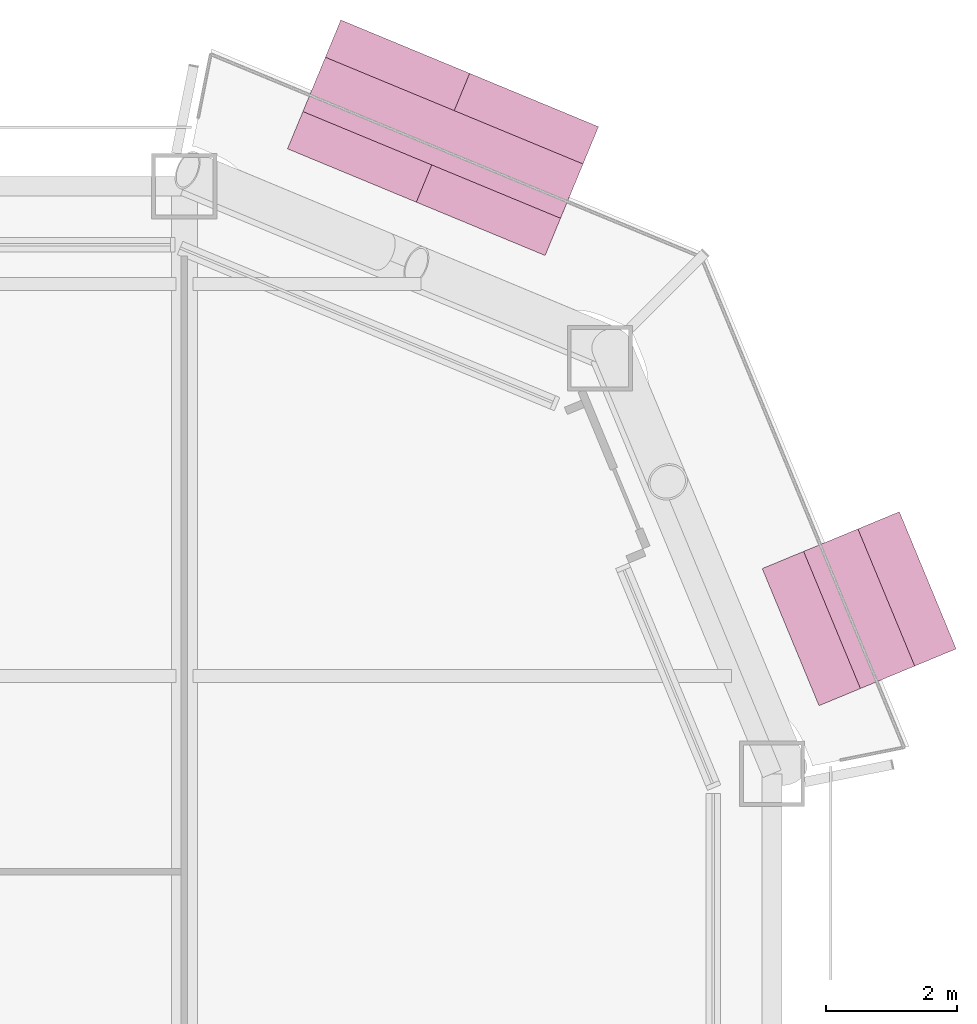
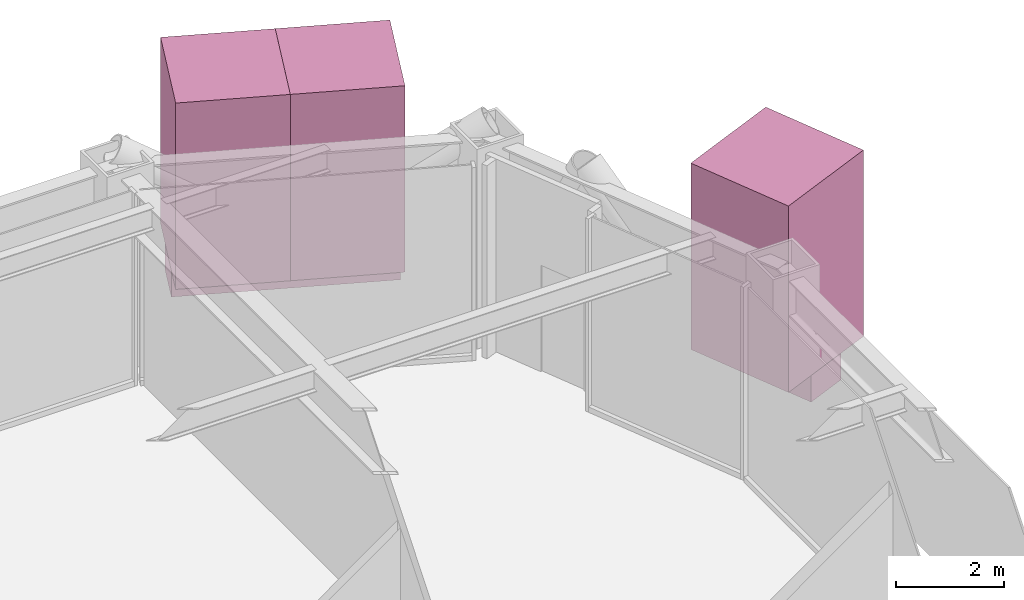
# One storey, part 30 of 30: 5 furnishings.
"""IFC4 building model written with IfcOpenShell, lengths in metres."""

from ifc_helpers import new_model, si_unit, direction, frame, origin, origin_2d, place, context, subcontext, project, spatial, rectangle, extrude, material, type_object, element, save


model = new_model("IFC4")

# Units and contexts
model_context = context("Model", 3, precision=1e-05, world=origin(), true_north=direction((0.0, 1.0)))
body_context = subcontext(model_context, "Body", "Model", "MODEL_VIEW")
ifc_project = project(units=[si_unit("LENGTHUNIT", "METRE"), si_unit("AREAUNIT", "SQUARE_METRE"), si_unit("VOLUMEUNIT", "CUBIC_METRE"), si_unit("PLANEANGLEUNIT", "RADIAN"), si_unit("MASSUNIT", "GRAM", prefix="KILO")], contexts=[model_context])

# Site, building, storey
site_placement = place(None, origin())
site = spatial("IfcSite", under=ifc_project, at=site_placement, CompositionType="ELEMENT")
building_placement = place(site_placement, origin())
building = spatial("IfcBuilding", under=site, at=building_placement, Name="Siwar Civic Tower", CompositionType="ELEMENT")
storey_placement = place(building_placement, frame((0.0, 0.0, 80.699951171875)))
storey = spatial("IfcBuildingStorey", under=building, at=storey_placement, Name="L17", CompositionType="ELEMENT", Elevation=80.699951171875)

# Furnishings
ifc_material_1 = material(Name="Planting soil and foliage")
furnishing_element_type_1 = type_object("IfcFurnishingElementType", Name="ENV-PLANTER", material=ifc_material_1)
furnishing_1_placement = place(storey_placement, frame((32.833984375, 25.0283203125, 0.0), z_axis=(0.0, 0.0, 1.0), x_axis=(-0.382683432365, 0.923879532511, 0.0)))
element("IfcFurnishingElement", 1, at=furnishing_1_placement, inside=storey, type_object=furnishing_element_type_1, Name="PLANTER NE 1", context=body_context, shape_type="SweptSolid", body=[
    extrude(rectangle(XDim=2.273193359375, YDim=0.89990234375, at=origin_2d()), origin(), (0.0, 0.0, 1.0), 0.60009765625),
])
furnishing_2_placement = place(storey_placement, frame((26.460205078125, 32.240966796875, 0.0), z_axis=(0.0, 0.0, 1.0), x_axis=(-0.923879532511, 0.382683432365, 0.0)))
element("IfcFurnishingElement", 2, at=furnishing_2_placement, inside=storey, type_object=furnishing_element_type_1, Name="PLANTER NE 2", context=body_context, shape_type="SweptSolid", body=[
    extrude(rectangle(XDim=4.270751953125, YDim=0.89990234375, at=origin_2d()), origin(), (0.0, 0.0, 1.0), 0.60009765625),
])
ifc_material_2 = material(Name="Planting soil and foliage")
furnishing_element_type_2 = type_object("IfcFurnishingElementType", Name="ENV-TREE", material=ifc_material_2)
furnishing_3_placement = place(storey_placement, frame((32.833984375, 25.0283203125, 0.60009765625), z_axis=(0.0, 0.0, 1.0), x_axis=(-0.382683432365, 0.923879532511, 0.0)))
element("IfcFurnishingElement", 3, at=furnishing_3_placement, inside=storey, type_object=furnishing_element_type_2, Name="PLANTER (TREE) NE 1.1", context=body_context, shape_type="SweptSolid", body=[
    extrude(rectangle(XDim=2.273193359375, YDim=2.273193359375, at=origin_2d()), origin(), (0.0, 0.0, 1.0), 4.199951171875),
])
for number, where, z_axis, x_axis, name in (
    (4, (27.44677734375, 31.832275390625, 0.60009765625), (0.0, 0.0, 1.0), (-0.923879532511, 0.382683432365, 0.0), "PLANTER (TREE) NE 2.1"),
    (5, (25.473876953125, 32.6494140625, 0.60009765625), (0.0, 0.0, 1.0), (-0.923879532511, 0.382683432365, 0.0), "PLANTER (TREE) NE 2.2"),
):
    element("IfcFurnishingElement", number, at=place(storey_placement, frame(where, z_axis=z_axis, x_axis=x_axis)), inside=storey, type_object=furnishing_element_type_2, Name=name, context=body_context, shape_type="SweptSolid", body=[
        extrude(rectangle(XDim=2.13525390625, YDim=2.13525390625, at=origin_2d()), origin(), (0.0, 0.0, 1.0), 4.199951171875),
    ])

save(model, "model.ifc")
